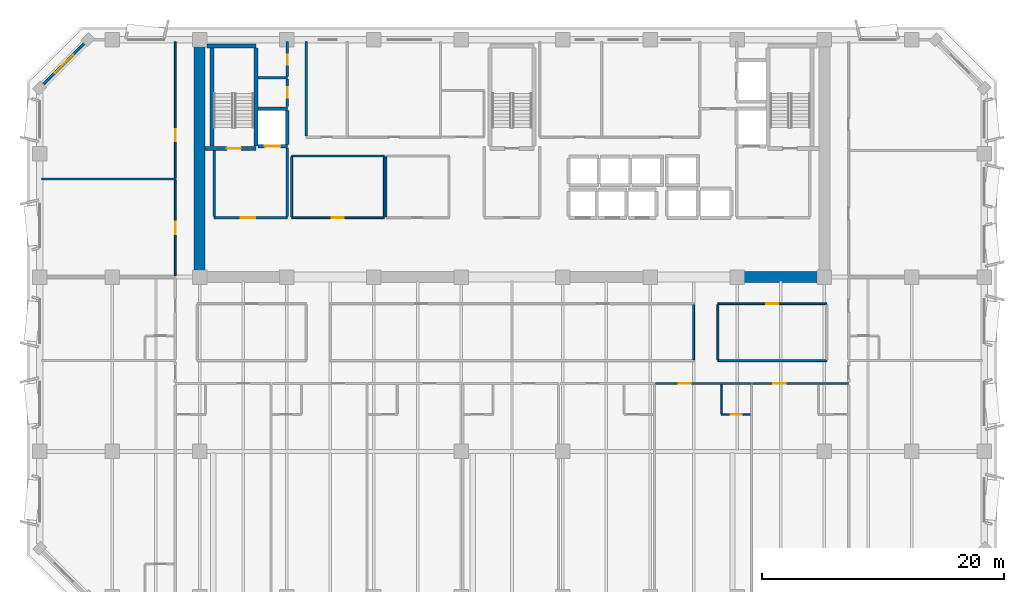
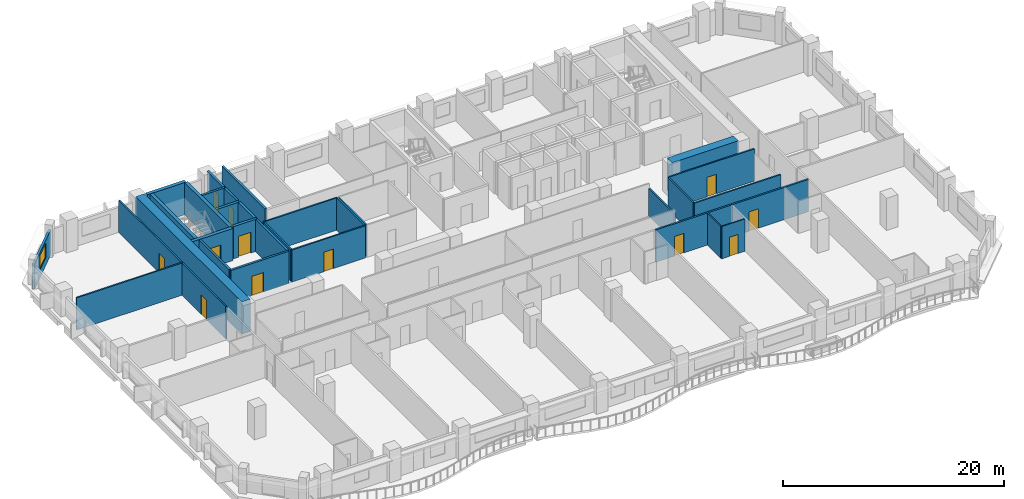
# One storey, part 6 of 15: 33 walls, 12 doors, 1 window, 13 openings.
"""IFC4 building model written with IfcOpenShell, lengths in metres."""

from ifc_helpers import new_model, si_unit, direction, frame, frame_2d, origin, place, context, subcontext, project, spatial, rectangle, extrude, material, layer, layer_set, type_object, element, fill, save


model = new_model("IFC4")

# Units and contexts
model_context = context("Model", 3, precision=1e-05, world=origin(), true_north=direction((0.0, 1.0)))
body_context = subcontext(model_context, "Body", "Model", "MODEL_VIEW")
ifc_project = project(units=[si_unit("LENGTHUNIT", "METRE"), si_unit("AREAUNIT", "SQUARE_METRE"), si_unit("VOLUMEUNIT", "CUBIC_METRE"), si_unit("PLANEANGLEUNIT", "RADIAN"), si_unit("MASSUNIT", "GRAM", prefix="KILO")], contexts=[model_context])

# Site, building, storey
site_placement = place(None, origin())
site = spatial("IfcSite", under=ifc_project, at=site_placement, CompositionType="ELEMENT")
building_placement = place(site_placement, origin())
building = spatial("IfcBuilding", under=site, at=building_placement, Name="Kaelvorn Grand Hotel", CompositionType="ELEMENT")
storey_placement = place(building_placement, frame((0.0, 0.0, 173.35009765625)))
storey = spatial("IfcBuildingStorey", under=building, at=storey_placement, Name="L42", CompositionType="ELEMENT", Elevation=173.35009765625)

# Walls
ifc_material_1 = material(Name="Concrete C60/75", Category="concrete")
ifc_layer_1 = layer(ifc_material_1, 0.89990234375)
ifc_layer_set_1 = layer_set([ifc_layer_1], Name="Concrete C60/75")
wall_type_1 = type_object("IfcWallType", Name="WL-CORE-900-C60", PredefinedType="SHEAR", material=ifc_layer_set_1)
wall_1_placement = place(storey_placement, frame((16.199951171875, 29.39990234375, 0.0), z_axis=(0.0, 0.0, 1.0), x_axis=(0.0, 1.0, 0.0)))
element("IfcWall", 1, at=wall_1_placement, inside=storey, type_object=wall_type_1, Name="L42 Rear-Core West Shear Wall", PredefinedType="SHEAR", context=body_context, shape_type="SweptSolid", body=[
    extrude(rectangle(XDim=19.2001953125, YDim=0.89990234375, at=frame_2d((9.60009765625, 0.0))), origin(), (0.0, 0.0, 1.0), 3.559814453125),
])
wall_2_placement = place(storey_placement, frame((60.39990234375, 29.39990234375, 0.0), z_axis=(0.0, 0.0, 1.0), x_axis=(1.0, 0.0, 0.0)))
element("IfcWall", 2, at=wall_2_placement, inside=storey, type_object=wall_type_1, Name="L42 Rear-Core Coupled Shear Pier S4", PredefinedType="SHEAR", context=body_context, shape_type="SweptSolid", body=[
    extrude(rectangle(XDim=6.945068359375, YDim=0.89990234375, at=frame_2d((3.47265625, 0.0))), origin(), (0.0, 0.0, 1.0), 3.559814453125),
])

# Wall, opening, window
ifc_material_2 = material(Name="Concrete C40/50", Category="concrete")
ifc_layer_2 = layer(ifc_material_2, 0.239990234375)
ifc_layer_set_2 = layer_set([ifc_layer_2], Name="Concrete C40/50")
wall_type_2 = type_object("IfcWallType", Name="WL-EXT-240-C40", PredefinedType="SOLIDWALL", material=ifc_layer_set_2)
wall_3_placement = place(storey_placement, frame((7.0, 49.0, 0.0), z_axis=(0.0, 0.0, 1.0), x_axis=(-0.707106781187, -0.707106781187, 0.0)))
wall_3 = element("IfcWall", 3, at=wall_3_placement, inside=storey, type_object=wall_type_2, Name="L42 Exterior Architectural Concrete Wall 06", PredefinedType="SOLIDWALL", context=body_context, shape_type="SweptSolid", body=[
    extrude(rectangle(XDim=5.65673828125, YDim=0.239990234375, at=frame_2d((2.828369140625, 0.0))), origin(), (0.0, 0.0, 1.0), 2.760009765625),
])
opening_1_placement = place(wall_3_placement, frame((1.7783203125, 0.0, 0.85009765625)))
opening_1 = element("IfcOpeningElement", 4, at=opening_1_placement, cuts=wall_3, Name="Opening W7", PredefinedType="OPENING", context=body_context, shape_type="SweptSolid", body=[
    extrude(rectangle(XDim=2.10009765625, YDim=1.60009765625, at=frame_2d((1.050048828125, 0.800048828125))), frame((0.0, 0.1298828125, 0.0), z_axis=(0.0, -1.0, 0.0), x_axis=(1.0, 0.0, 0.0)), (0.0, 0.0, 1.0), 0.260009765625),
])
ifc_material_3 = material(Name="Laminated Low-E Glass", Category="glass")
window_type = type_object("IfcWindowType", Name="WIN-CHM-2100x1600", PartitioningType="SINGLE_PANEL", PredefinedType="WINDOW", material=ifc_material_3)
window_placement = place(opening_1_placement, origin())
window = element("IfcWindow", 5, at=window_placement, inside=storey, type_object=window_type, Name="L42 Chamfered 45-Degree Corner Window NW", OverallHeight=1.60009765625, OverallWidth=2.10009765625, PartitioningType="SINGLE_PANEL", PredefinedType="WINDOW", context=body_context, shape_type="SweptSolid", body=[
    extrude(rectangle(XDim=2.10009765625, YDim=1.60009765625, at=frame_2d((1.050048828125, 0.800048828125))), frame((0.0, 0.030029296875, 0.0), z_axis=(0.0, -1.0, 0.0), x_axis=(1.0, 0.0, 0.0)), (0.0, 0.0, 1.0), 0.06005859375),
])
fill(opening_1, window)

# Wall, opening, door
ifc_material_4 = material(Name="Moisture-Resistant Tile & Stud Board")
ifc_layer_3 = layer(ifc_material_4, 0.125)
ifc_layer_set_3 = layer_set([ifc_layer_3], Name="Moisture-Resistant Tile & Stud Board")
wall_type_3 = type_object("IfcWallType", Name="WL-PART-125-WET", PredefinedType="PARTITIONING", material=ifc_layer_set_3)
wall_4_placement = place(storey_placement, frame((59.28076171875, 18.050048828125, 0.0), z_axis=(0.0, 0.0, 1.0), x_axis=(1.0, 0.0, 0.0)))
wall_4 = element("IfcWall", 6, at=wall_4_placement, inside=storey, type_object=wall_type_3, Name="L42 En-suite Bathroom L42-06 S Partition", PredefinedType="PARTITIONING", context=body_context, shape_type="SweptSolid", body=[
    extrude(rectangle(XDim=2.405029296875, YDim=0.125, at=frame_2d((1.20263671875, 0.0))), origin(), (0.0, 0.0, 1.0), 3.559814453125),
])
opening_2_placement = place(wall_4_placement, frame((0.800048828125, 0.0, 0.0)))
opening_2 = element("IfcOpeningElement", 7, at=opening_2_placement, cuts=wall_4, Name="Opening DI4", PredefinedType="OPENING", context=body_context, shape_type="SweptSolid", body=[
    extrude(rectangle(XDim=0.89990234375, YDim=2.10009765625, at=frame_2d((0.449951171875, 1.050048828125))), frame((0.0, 0.072509765625, 0.0), z_axis=(0.0, -1.0, 0.0), x_axis=(1.0, 0.0, 0.0)), (0.0, 0.0, 1.0), 0.14501953125),
])
ifc_material_5 = material(Name="Timber Veneer Leaf", Category="wood")
door_type_1 = type_object("IfcDoorType", Name="DR-INT-BATH-900x2100", OperationType="NOTDEFINED", PredefinedType="DOOR", material=ifc_material_5)
door_1_placement = place(opening_2_placement, origin())
door_1 = element("IfcDoor", 8, at=door_1_placement, inside=storey, type_object=door_type_1, Name="L42 En-suite Bathroom L42-06 Door", OperationType="SINGLE_SWING_RIGHT", OverallHeight=2.10009765625, OverallWidth=0.89990234375, PredefinedType="DOOR", context=body_context, shape_type="SweptSolid", body=[
    extrude(rectangle(XDim=0.89990234375, YDim=2.10009765625, at=frame_2d((0.449951171875, 1.050048828125))), frame((0.0, 0.02490234375, 0.0), z_axis=(0.0, -1.0, 0.0), x_axis=(1.0, 0.0, 0.0)), (0.0, 0.0, 1.0), 0.050048828125),
])
fill(opening_2, door_1)

# Walls
wall_5_placement = place(storey_placement, frame((59.28076171875, 18.117431640625, 0.0), z_axis=(0.0, 0.0, 1.0), x_axis=(0.0, 1.0, 0.0)))
element("IfcWall", 9, at=wall_5_placement, inside=storey, type_object=wall_type_3, Name="L42 En-suite Bathroom L42-06 W Partition", PredefinedType="PARTITIONING", context=body_context, shape_type="SweptSolid", body=[
    extrude(rectangle(XDim=2.387451171875, YDim=0.125, at=frame_2d((1.19384765625, 0.0))), origin(), (0.0, 0.0, 1.0), 3.559814453125),
])
ifc_material_6 = material(Name="Acoustic Gypsum & Stud Partition")
ifc_layer_4 = layer(ifc_material_6, 0.14990234375)
ifc_layer_set_4 = layer_set([ifc_layer_4], Name="Acoustic Gypsum & Stud Partition")
wall_type_4 = type_object("IfcWallType", Name="WL-PART-150-EI60", PredefinedType="PARTITIONING", material=ifc_layer_set_4)
wall_6_placement = place(storey_placement, frame((31.60009765625, 34.3798828125, 0.0), z_axis=(0.0, 0.0, 1.0), x_axis=(0.0, 1.0, 0.0)))
element("IfcWall", 10, at=wall_6_placement, inside=storey, type_object=wall_type_4, Name="L42 Core Telecoms & BMS Server Room W Partition", PredefinedType="PARTITIONING", context=body_context, shape_type="SweptSolid", body=[
    extrude(rectangle(XDim=4.940185546875, YDim=0.14990234375, at=frame_2d((2.47021484375, 0.0))), origin(), (0.0, 0.0, 1.0), 3.559814453125),
])

# Wall, opening, door
wall_7_placement = place(storey_placement, frame((23.800048828125, 34.300048828125, 0.0), z_axis=(0.0, 0.0, 1.0), x_axis=(1.0, 0.0, 0.0)))
wall_7 = element("IfcWall", 11, at=wall_7_placement, inside=storey, type_object=wall_type_4, Name="L42 Executive Club Sitting Lounge S Partition", PredefinedType="PARTITIONING", context=body_context, shape_type="SweptSolid", body=[
    extrude(rectangle(XDim=7.64990234375, YDim=0.14990234375, at=frame_2d((3.824951171875, 0.0))), origin(), (0.0, 0.0, 1.0), 3.559814453125),
])
opening_3_placement = place(wall_7_placement, frame((3.300048828125, 0.0, 0.0)))
opening_3 = element("IfcOpeningElement", 12, at=opening_3_placement, cuts=wall_7, Name="Opening DI3", PredefinedType="OPENING", context=body_context, shape_type="SweptSolid", body=[
    extrude(rectangle(XDim=1.0, YDim=2.14990234375, at=frame_2d((0.5, 1.074951171875))), frame((0.0, 0.0849609375, 0.0), z_axis=(0.0, -1.0, 0.0), x_axis=(1.0, 0.0, 0.0)), (0.0, 0.0, 1.0), 0.169921875),
])
ifc_material_7 = material(Name="Timber Veneer Fire Leaf", Category="wood")
door_type_2 = type_object("IfcDoorType", Name="DR-INT-GUEST-1000x2150", OperationType="NOTDEFINED", PredefinedType="DOOR", material=ifc_material_7)
door_2_placement = place(opening_3_placement, origin())
door_2 = element("IfcDoor", 13, at=door_2_placement, inside=storey, type_object=door_type_2, Name="L42 Executive Club Sitting Lounge Door", OperationType="SINGLE_SWING_LEFT", OverallHeight=2.14990234375, OverallWidth=1.0, PredefinedType="DOOR", context=body_context, shape_type="SweptSolid", body=[
    extrude(rectangle(XDim=1.0, YDim=2.14990234375, at=frame_2d((0.5, 1.074951171875))), frame((0.0, 0.02490234375, 0.0), z_axis=(0.0, -1.0, 0.0), x_axis=(1.0, 0.0, 0.0)), (0.0, 0.0, 1.0), 0.050048828125),
])
fill(opening_3, door_2)

# Walls
wall_8_placement = place(storey_placement, frame((23.800048828125, 39.39990234375, 0.0), z_axis=(0.0, 0.0, 1.0), x_axis=(1.0, 0.0, 0.0)))
element("IfcWall", 14, at=wall_8_placement, inside=storey, type_object=wall_type_4, Name="L42 Executive Club Sitting Lounge N Partition", PredefinedType="PARTITIONING", context=body_context, shape_type="SweptSolid", body=[
    extrude(rectangle(XDim=7.64990234375, YDim=0.14990234375, at=frame_2d((3.824951171875, 0.0))), origin(), (0.0, 0.0, 1.0), 3.559814453125),
])
for number, where, z_axis, x_axis, name in (
    (15, (23.800048828125, 34.3798828125, 0.0), (0.0, 0.0, 1.0), (0.0, 1.0, 0.0), "L42 Executive Club Sitting Lounge W Partition"),
    (16, (31.449951171875, 34.3798828125, 0.0), (0.0, 0.0, 1.0), (0.0, 1.0, 0.0), "L42 Executive Club Sitting Lounge E Partition"),
):
    element("IfcWall", number, at=place(storey_placement, frame(where, z_axis=z_axis, x_axis=x_axis)), inside=storey, type_object=wall_type_4, Name=name, PredefinedType="PARTITIONING", context=body_context, shape_type="SweptSolid", body=[
        extrude(rectangle(XDim=4.940185546875, YDim=0.14990234375, at=frame_2d((2.47021484375, 0.0))), origin(), (0.0, 0.0, 1.0), 3.559814453125),
    ])
wall_9_placement = place(storey_placement, frame((57.0, 22.580078125, 0.0), z_axis=(0.0, 0.0, 1.0), x_axis=(0.0, 1.0, 0.0)))
element("IfcWall", 17, at=wall_9_placement, inside=storey, type_object=wall_type_4, Name="L42 Business Meeting Room E Partition", PredefinedType="PARTITIONING", context=body_context, shape_type="SweptSolid", body=[
    extrude(rectangle(XDim=4.5400390625, YDim=0.14990234375, at=frame_2d((2.27001953125, 0.0))), origin(), (0.0, 0.0, 1.0), 3.059814453125),
])
wall_10_placement = place(storey_placement, frame((59.0, 22.5, 0.0), z_axis=(0.0, 0.0, 1.0), x_axis=(1.0, 0.0, 0.0)))
element("IfcWall", 18, at=wall_10_placement, inside=storey, type_object=wall_type_4, Name="L42 Press Briefing Office S Partition", PredefinedType="PARTITIONING", context=body_context, shape_type="SweptSolid", body=[
    extrude(rectangle(XDim=9.0, YDim=0.14990234375, at=frame_2d((4.5, 0.0))), origin(), (0.0, 0.0, 1.0), 3.559814453125),
])

# Wall, opening, door
wall_11_placement = place(storey_placement, frame((59.0, 27.199951171875, 0.0), z_axis=(0.0, 0.0, 1.0), x_axis=(1.0, 0.0, 0.0)))
wall_11 = element("IfcWall", 19, at=wall_11_placement, inside=storey, type_object=wall_type_4, Name="L42 Press Briefing Office N Partition", PredefinedType="PARTITIONING", context=body_context, shape_type="SweptSolid", body=[
    extrude(rectangle(XDim=9.0, YDim=0.14990234375, at=frame_2d((4.5, 0.0))), origin(), (0.0, 0.0, 1.0), 3.559814453125),
])
opening_4_placement = place(wall_11_placement, frame((4.0, 0.0, 0.0)))
opening_4 = element("IfcOpeningElement", 20, at=opening_4_placement, cuts=wall_11, Name="Opening DI3", PredefinedType="OPENING", context=body_context, shape_type="SweptSolid", body=[
    extrude(rectangle(XDim=1.0, YDim=2.14990234375, at=frame_2d((0.5, 1.074951171875))), frame((0.0, 0.0849609375, 0.0), z_axis=(0.0, -1.0, 0.0), x_axis=(1.0, 0.0, 0.0)), (0.0, 0.0, 1.0), 0.169921875),
])
door_3_placement = place(opening_4_placement, origin())
door_3 = element("IfcDoor", 21, at=door_3_placement, inside=storey, type_object=door_type_2, Name="L42 Press Briefing Office Door", OperationType="SINGLE_SWING_RIGHT", OverallHeight=2.14990234375, OverallWidth=1.0, PredefinedType="DOOR", context=body_context, shape_type="SweptSolid", body=[
    extrude(rectangle(XDim=1.0, YDim=2.14990234375, at=frame_2d((0.5, 1.074951171875))), frame((0.0, 0.02490234375, 0.0), z_axis=(0.0, -1.0, 0.0), x_axis=(1.0, 0.0, 0.0)), (0.0, 0.0, 1.0), 0.050048828125),
])
fill(opening_4, door_3)

# Walls
wall_12_placement = place(storey_placement, frame((59.0, 22.580078125, 0.0), z_axis=(0.0, 0.0, 1.0), x_axis=(0.0, 1.0, 0.0)))
element("IfcWall", 22, at=wall_12_placement, inside=storey, type_object=wall_type_4, Name="L42 Press Briefing Office W Partition", PredefinedType="PARTITIONING", context=body_context, shape_type="SweptSolid", body=[
    extrude(rectangle(XDim=4.5400390625, YDim=0.14990234375, at=frame_2d((2.27001953125, 0.0))), origin(), (0.0, 0.0, 1.0), 3.559814453125),
])
wall_13_placement = place(storey_placement, frame((3.14990234375, 37.5, 0.0), z_axis=(0.0, 0.0, 1.0), x_axis=(1.0, 0.0, 0.0)))
element("IfcWall", 23, at=wall_13_placement, inside=storey, type_object=wall_type_4, Name="L42 North-West Private Cinema Lounge N Partition", PredefinedType="PARTITIONING", context=body_context, shape_type="SweptSolid", body=[
    extrude(rectangle(XDim=11.050048828125, YDim=0.14990234375, at=frame_2d((5.52490234375, 0.0))), origin(), (0.0, 0.0, 1.0), 3.559814453125),
])

# Wall, opening, door
wall_14_placement = place(storey_placement, frame((14.199951171875, 29.4951171875, 0.0), z_axis=(0.0, 0.0, 1.0), x_axis=(0.0, 1.0, 0.0)))
wall_14 = element("IfcWall", 24, at=wall_14_placement, inside=storey, type_object=wall_type_4, Name="L42 North-West Private Cinema Lounge E Partition", PredefinedType="PARTITIONING", context=body_context, shape_type="SweptSolid", body=[
    extrude(rectangle(XDim=7.9248046875, YDim=0.14990234375, at=frame_2d((3.96240234375, 0.0))), origin(), (0.0, 0.0, 1.0), 3.559814453125),
])
opening_5_placement = place(wall_14_placement, frame((3.455078125, 0.0, 0.0)))
opening_5 = element("IfcOpeningElement", 25, at=opening_5_placement, cuts=wall_14, Name="Opening DI3", PredefinedType="OPENING", context=body_context, shape_type="SweptSolid", body=[
    extrude(rectangle(XDim=1.0, YDim=2.14990234375, at=frame_2d((0.5, 1.074951171875))), frame((0.0, 0.0849609375, 0.0), z_axis=(0.0, -1.0, 0.0), x_axis=(1.0, 0.0, 0.0)), (0.0, 0.0, 1.0), 0.169921875),
])
door_4_placement = place(opening_5_placement, origin())
door_4 = element("IfcDoor", 26, at=door_4_placement, inside=storey, type_object=door_type_2, Name="L42 North-West Private Cinema Lounge Door", OperationType="SINGLE_SWING_LEFT", OverallHeight=2.14990234375, OverallWidth=1.0, PredefinedType="DOOR", context=body_context, shape_type="SweptSolid", body=[
    extrude(rectangle(XDim=1.0, YDim=2.14990234375, at=frame_2d((0.5, 1.074951171875))), frame((0.0, 0.02490234375, 0.0), z_axis=(0.0, -1.0, 0.0), x_axis=(1.0, 0.0, 0.0)), (0.0, 0.0, 1.0), 0.050048828125),
])
fill(opening_5, door_4)

wall_15_placement = place(storey_placement, frame((14.199951171875, 37.580078125, 0.0), z_axis=(0.0, 0.0, 1.0), x_axis=(0.0, 1.0, 0.0)))
wall_15 = element("IfcWall", 27, at=wall_15_placement, inside=storey, type_object=wall_type_4, Name="L42 North-West Sommelier Wine Bar E Partition", PredefinedType="PARTITIONING", context=body_context, shape_type="SweptSolid", body=[
    extrude(rectangle(XDim=11.27001953125, YDim=0.14990234375, at=frame_2d((5.635009765625, 0.0))), origin(), (0.0, 0.0, 1.0), 3.559814453125),
])
opening_6_placement = place(wall_15_placement, frame((3.02001953125, 0.0, 0.0)))
opening_6 = element("IfcOpeningElement", 28, at=opening_6_placement, cuts=wall_15, Name="Opening DI3", PredefinedType="OPENING", context=body_context, shape_type="SweptSolid", body=[
    extrude(rectangle(XDim=1.0, YDim=2.14990234375, at=frame_2d((0.5, 1.074951171875))), frame((0.0, 0.0849609375, 0.0), z_axis=(0.0, -1.0, 0.0), x_axis=(1.0, 0.0, 0.0)), (0.0, 0.0, 1.0), 0.169921875),
])
door_5_placement = place(opening_6_placement, origin())
door_5 = element("IfcDoor", 29, at=door_5_placement, inside=storey, type_object=door_type_2, Name="L42 North-West Sommelier Wine Bar Door", OperationType="SINGLE_SWING_RIGHT", OverallHeight=2.14990234375, OverallWidth=1.0, PredefinedType="DOOR", context=body_context, shape_type="SweptSolid", body=[
    extrude(rectangle(XDim=1.0, YDim=2.14990234375, at=frame_2d((0.5, 1.074951171875))), frame((0.0, 0.02490234375, 0.0), z_axis=(0.0, -1.0, 0.0), x_axis=(1.0, 0.0, 0.0)), (0.0, 0.0, 1.0), 0.050048828125),
])
fill(opening_6, door_5)

ifc_layer_5 = layer(ifc_material_6, 0.179931640625)
ifc_layer_set_5 = layer_set([ifc_layer_5], Name="Acoustic Gypsum & Stud Partition")
wall_type_5 = type_object("IfcWallType", Name="WL-PART-180-EI60", PredefinedType="PARTITIONING", material=ifc_layer_set_5)
wall_16_placement = place(storey_placement, frame((53.8564453125, 20.60009765625, 0.0), z_axis=(0.0, 0.0, 1.0), x_axis=(1.0, 0.0, 0.0)))
wall_16 = element("IfcWall", 30, at=wall_16_placement, inside=storey, type_object=wall_type_5, Name="L42 Mid-Rise Signature Suite L42-06 N Partition", PredefinedType="PARTITIONING", context=body_context, shape_type="SweptSolid", body=[
    extrude(rectangle(XDim=7.92431640625, YDim=0.179931640625, at=frame_2d((3.962158203125, 0.0))), origin(), (0.0, 0.0, 1.0), 3.559814453125),
])
opening_7_placement = place(wall_16_placement, frame((1.923828125, 0.0, 0.0)))
opening_7 = element("IfcOpeningElement", 31, at=opening_7_placement, cuts=wall_16, Name="Opening DI3", PredefinedType="OPENING", context=body_context, shape_type="SweptSolid", body=[
    extrude(rectangle(XDim=1.0, YDim=2.14990234375, at=frame_2d((0.5, 1.074951171875))), frame((0.0, 0.10009765625, 0.0), z_axis=(0.0, -1.0, 0.0), x_axis=(1.0, 0.0, 0.0)), (0.0, 0.0, 1.0), 0.199951171875),
])
door_6_placement = place(opening_7_placement, origin())
door_6 = element("IfcDoor", 32, at=door_6_placement, inside=storey, type_object=door_type_2, Name="L42 Mid-Rise Signature Suite L42-06 Door", OperationType="SINGLE_SWING_LEFT", OverallHeight=2.14990234375, OverallWidth=1.0, PredefinedType="DOOR", context=body_context, shape_type="SweptSolid", body=[
    extrude(rectangle(XDim=1.0, YDim=2.14990234375, at=frame_2d((0.5, 1.074951171875))), frame((0.0, 0.02490234375, 0.0), z_axis=(0.0, -1.0, 0.0), x_axis=(1.0, 0.0, 0.0)), (0.0, 0.0, 1.0), 0.050048828125),
])
fill(opening_7, door_6)

wall_17_placement = place(storey_placement, frame((61.875732421875, 20.60009765625, 0.0), z_axis=(0.0, 0.0, 1.0), x_axis=(1.0, 0.0, 0.0)))
wall_17 = element("IfcWall", 33, at=wall_17_placement, inside=storey, type_object=wall_type_5, Name="L42 Mid-Rise Signature Suite L42-07 N Partition", PredefinedType="PARTITIONING", context=body_context, shape_type="SweptSolid", body=[
    extrude(rectangle(XDim=7.92431640625, YDim=0.179931640625, at=frame_2d((3.962158203125, 0.0))), origin(), (0.0, 0.0, 1.0), 3.559814453125),
])
opening_8_placement = place(wall_17_placement, frame((1.714599609375, 0.0, 0.0)))
opening_8 = element("IfcOpeningElement", 34, at=opening_8_placement, cuts=wall_17, Name="Opening DI3", PredefinedType="OPENING", context=body_context, shape_type="SweptSolid", body=[
    extrude(rectangle(XDim=1.0, YDim=2.14990234375, at=frame_2d((0.5, 1.074951171875))), frame((0.0, 0.10009765625, 0.0), z_axis=(0.0, -1.0, 0.0), x_axis=(1.0, 0.0, 0.0)), (0.0, 0.0, 1.0), 0.199951171875),
])
door_7_placement = place(opening_8_placement, origin())
door_7 = element("IfcDoor", 35, at=door_7_placement, inside=storey, type_object=door_type_2, Name="L42 Mid-Rise Signature Suite L42-07 Door", OperationType="SINGLE_SWING_LEFT", OverallHeight=2.14990234375, OverallWidth=1.0, PredefinedType="DOOR", context=body_context, shape_type="SweptSolid", body=[
    extrude(rectangle(XDim=1.0, YDim=2.14990234375, at=frame_2d((0.5, 1.074951171875))), frame((0.0, 0.02490234375, 0.0), z_axis=(0.0, -1.0, 0.0), x_axis=(1.0, 0.0, 0.0)), (0.0, 0.0, 1.0), 0.050048828125),
])
fill(opening_8, door_7)

ifc_layer_6 = layer(ifc_material_2, 0.219970703125)
ifc_layer_set_6 = layer_set([ifc_layer_6], Name="Concrete C40/50")
wall_type_6 = type_object("IfcWallType", Name="WL-PART-220-EI120", PredefinedType="PARTITIONING", material=ifc_layer_set_6)
wall_18_placement = place(storey_placement, frame((17.39990234375, 34.300048828125, 0.0), z_axis=(0.0, 0.0, 1.0), x_axis=(1.0, 0.0, 0.0)))
wall_18 = element("IfcWall", 36, at=wall_18_placement, inside=storey, type_object=wall_type_6, Name="L42 Firefighting Lift Lobby 1 S Partition", PredefinedType="PARTITIONING", context=body_context, shape_type="SweptSolid", body=[
    extrude(rectangle(XDim=6.050048828125, YDim=0.219970703125, at=frame_2d((3.02490234375, 0.0))), origin(), (0.0, 0.0, 1.0), 3.559814453125),
])
opening_9_placement = place(wall_18_placement, frame((2.199951171875, 0.0, 0.0)))
opening_9 = element("IfcOpeningElement", 37, at=opening_9_placement, cuts=wall_18, Name="Opening DI2", PredefinedType="OPENING", context=body_context, shape_type="SweptSolid", body=[
    extrude(rectangle(XDim=1.199951171875, YDim=2.14990234375, at=frame_2d((0.60009765625, 1.074951171875))), frame((0.0, 0.1201171875, 0.0), z_axis=(0.0, -1.0, 0.0), x_axis=(1.0, 0.0, 0.0)), (0.0, 0.0, 1.0), 0.239990234375),
])
door_type_3 = type_object("IfcDoorType", Name="DR-INT-FFLOB-1200x2150", OperationType="NOTDEFINED", PredefinedType="DOOR", material=ifc_material_7)
door_8_placement = place(opening_9_placement, origin())
door_8 = element("IfcDoor", 38, at=door_8_placement, inside=storey, type_object=door_type_3, Name="L42 Firefighting Lift Lobby 1 Door", OperationType="SINGLE_SWING_RIGHT", OverallHeight=2.14990234375, OverallWidth=1.199951171875, PredefinedType="DOOR", context=body_context, shape_type="SweptSolid", body=[
    extrude(rectangle(XDim=1.199951171875, YDim=2.14990234375, at=frame_2d((0.60009765625, 1.074951171875))), frame((0.0, 0.02490234375, 0.0), z_axis=(0.0, -1.0, 0.0), x_axis=(1.0, 0.0, 0.0)), (0.0, 0.0, 1.0), 0.050048828125),
])
fill(opening_9, door_8)

# Walls
wall_19_placement = place(storey_placement, frame((17.39990234375, 34.4150390625, 0.0), z_axis=(0.0, 0.0, 1.0), x_axis=(0.0, 1.0, 0.0)))
element("IfcWall", 39, at=wall_19_placement, inside=storey, type_object=wall_type_6, Name="L42 Firefighting Lift Lobby 1 W Partition", PredefinedType="PARTITIONING", context=body_context, shape_type="SweptSolid", body=[
    extrude(rectangle(XDim=5.429931640625, YDim=0.219970703125, at=frame_2d((2.71484375, 0.0))), origin(), (0.0, 0.0, 1.0), 3.559814453125),
])
wall_20_placement = place(storey_placement, frame((23.449951171875, 34.4150390625, 0.0), z_axis=(0.0, 0.0, 1.0), x_axis=(0.0, 1.0, 0.0)))
element("IfcWall", 40, at=wall_20_placement, inside=storey, type_object=wall_type_6, Name="L42 Firefighting Lift Lobby 1 E Partition", PredefinedType="PARTITIONING", context=body_context, shape_type="SweptSolid", body=[
    extrude(rectangle(XDim=5.639892578125, YDim=0.219970703125, at=frame_2d((2.81982421875, 0.0))), origin(), (0.0, 0.0, 1.0), 3.559814453125),
])
wall_21_placement = place(storey_placement, frame((21.034912109375, 45.85009765625, 0.0), z_axis=(0.0, 0.0, 1.0), x_axis=(1.0, 0.0, 0.0)))
element("IfcWall", 41, at=wall_21_placement, inside=storey, type_object=wall_type_6, Name="L42 Wet Fire & Plumbing Riser Shaft N Partition", PredefinedType="PARTITIONING", context=body_context, shape_type="SweptSolid", body=[
    extrude(rectangle(XDim=2.4150390625, YDim=0.219970703125, at=frame_2d((1.20751953125, 0.0))), origin(), (0.0, 0.0, 1.0), 3.559814453125),
])

# Wall, opening, door
wall_22_placement = place(storey_placement, frame((23.449951171875, 43.5, 0.0), z_axis=(0.0, 0.0, 1.0), x_axis=(0.0, 1.0, 0.0)))
wall_22 = element("IfcWall", 42, at=wall_22_placement, inside=storey, type_object=wall_type_6, Name="L42 Wet Fire & Plumbing Riser Shaft E Partition", PredefinedType="PARTITIONING", context=body_context, shape_type="SweptSolid", body=[
    extrude(rectangle(XDim=2.235107421875, YDim=0.219970703125, at=frame_2d((1.11767578125, 0.0))), origin(), (0.0, 0.0, 1.0), 3.559814453125),
])
opening_10_placement = place(wall_22_placement, frame((0.72509765625, 0.0, 0.0)))
opening_10 = element("IfcOpeningElement", 43, at=opening_10_placement, cuts=wall_22, Name="Opening DI7", PredefinedType="OPENING", context=body_context, shape_type="SweptSolid", body=[
    extrude(rectangle(XDim=0.85009765625, YDim=2.10009765625, at=frame_2d((0.425048828125, 1.050048828125))), frame((0.0, 0.1201171875, 0.0), z_axis=(0.0, -1.0, 0.0), x_axis=(1.0, 0.0, 0.0)), (0.0, 0.0, 1.0), 0.239990234375),
])
ifc_material_8 = material(Name="Powder-Coated Steel Leaf", Category="steel")
door_type_4 = type_object("IfcDoorType", Name="DR-INT-RISER-850x2100", OperationType="NOTDEFINED", PredefinedType="DOOR", material=ifc_material_8)
door_9_placement = place(opening_10_placement, origin())
door_9 = element("IfcDoor", 44, at=door_9_placement, inside=storey, type_object=door_type_4, Name="L42 Wet Fire & Plumbing Riser Shaft Door", OperationType="SINGLE_SWING_RIGHT", OverallHeight=2.10009765625, OverallWidth=0.85009765625, PredefinedType="DOOR", context=body_context, shape_type="SweptSolid", body=[
    extrude(rectangle(XDim=0.85009765625, YDim=2.10009765625, at=frame_2d((0.425048828125, 1.050048828125))), frame((0.0, 0.02490234375, 0.0), z_axis=(0.0, -1.0, 0.0), x_axis=(1.0, 0.0, 0.0)), (0.0, 0.0, 1.0), 0.050048828125),
])
fill(opening_10, door_9)

wall_23_placement = place(storey_placement, frame((23.449951171875, 45.965087890625, 0.0), z_axis=(0.0, 0.0, 1.0), x_axis=(0.0, 1.0, 0.0)))
wall_23 = element("IfcWall", 45, at=wall_23_placement, inside=storey, type_object=wall_type_6, Name="L42 HV Electrical & Smoke Riser E Partition", PredefinedType="PARTITIONING", context=body_context, shape_type="SweptSolid", body=[
    extrude(rectangle(XDim=2.885009765625, YDim=0.219970703125, at=frame_2d((1.4423828125, 0.0))), origin(), (0.0, 0.0, 1.0), 3.559814453125),
])
opening_11_placement = place(wall_23_placement, frame((0.9599609375, 0.0, 0.0)))
opening_11 = element("IfcOpeningElement", 46, at=opening_11_placement, cuts=wall_23, Name="Opening DI7", PredefinedType="OPENING", context=body_context, shape_type="SweptSolid", body=[
    extrude(rectangle(XDim=0.85009765625, YDim=2.10009765625, at=frame_2d((0.425048828125, 1.050048828125))), frame((0.0, 0.1201171875, 0.0), z_axis=(0.0, -1.0, 0.0), x_axis=(1.0, 0.0, 0.0)), (0.0, 0.0, 1.0), 0.239990234375),
])
door_10_placement = place(opening_11_placement, origin())
door_10 = element("IfcDoor", 47, at=door_10_placement, inside=storey, type_object=door_type_4, Name="L42 HV Electrical & Smoke Riser Door", OperationType="SINGLE_SWING_LEFT", OverallHeight=2.10009765625, OverallWidth=0.85009765625, PredefinedType="DOOR", context=body_context, shape_type="SweptSolid", body=[
    extrude(rectangle(XDim=0.85009765625, YDim=2.10009765625, at=frame_2d((0.425048828125, 1.050048828125))), frame((0.0, 0.02490234375, 0.0), z_axis=(0.0, -1.0, 0.0), x_axis=(1.0, 0.0, 0.0)), (0.0, 0.0, 1.0), 0.050048828125),
])
fill(opening_11, door_10)

# Wall
wall_24_placement = place(storey_placement, frame((25.0, 41.06494140625, 0.0), z_axis=(0.0, 0.0, 1.0), x_axis=(0.0, 1.0, 0.0)))
element("IfcWall", 48, at=wall_24_placement, inside=storey, type_object=wall_type_6, Name="L42 Electrical Distribution Room W Partition", PredefinedType="PARTITIONING", context=body_context, shape_type="SweptSolid", body=[
    extrude(rectangle(XDim=7.78515625, YDim=0.219970703125, at=frame_2d((3.892578125, 0.0))), origin(), (0.0, 0.0, 1.0), 3.559814453125),
])

# Wall, opening, door
ifc_material_9 = material(Name="Concrete C50/60", Category="concrete")
ifc_layer_7 = layer(ifc_material_9, 0.280029296875)
ifc_layer_set_7 = layer_set([ifc_layer_7], Name="Concrete C50/60")
wall_type_7 = type_object("IfcWallType", Name="WL-SHAFT-280-C50", PredefinedType="SHEAR", material=ifc_layer_set_7)
wall_25_placement = place(storey_placement, frame((21.034912109375, 40.199951171875, 0.0), z_axis=(0.0, 0.0, 1.0), x_axis=(1.0, 0.0, 0.0)))
wall_25 = element("IfcWall", 49, at=wall_25_placement, inside=storey, type_object=wall_type_7, Name="L42 Lift FFL1 Shaft South Wall", PredefinedType="SHEAR", context=body_context, shape_type="SweptSolid", body=[
    extrude(rectangle(XDim=2.4150390625, YDim=0.280029296875, at=frame_2d((1.20751953125, 0.0))), origin(), (0.0, 0.0, 1.0), 3.559814453125),
])
opening_12_placement = place(wall_25_placement, frame((0.5400390625, 0.0, 0.0)))
opening_12 = element("IfcOpeningElement", 50, at=opening_12_placement, cuts=wall_25, Name="Opening LD-FFL1", PredefinedType="OPENING", context=body_context, shape_type="SweptSolid", body=[
    extrude(rectangle(XDim=1.300048828125, YDim=2.300048828125, at=frame_2d((0.64990234375, 1.14990234375))), frame((0.0, 0.14990234375, 0.0), z_axis=(0.0, -1.0, 0.0), x_axis=(1.0, 0.0, 0.0)), (0.0, 0.0, 1.0), 0.300048828125),
])
ifc_material_10 = material(Name="Stainless Steel", Category="steel")
door_type_5 = type_object("IfcDoorType", Name="DR-LIFT-SERV-1300x2300", OperationType="DOUBLE_DOOR_SLIDING", PredefinedType="DOOR", material=ifc_material_10)
door_11_placement = place(opening_12_placement, origin())
door_11 = element("IfcDoor", 51, at=door_11_placement, inside=storey, type_object=door_type_5, Name="L42 Lift FFL1 Sliding Landing Door LD-FFL1", OperationType="DOUBLE_DOOR_SLIDING", OverallHeight=2.300048828125, OverallWidth=1.300048828125, PredefinedType="DOOR", context=body_context, shape_type="SweptSolid", body=[
    extrude(rectangle(XDim=1.300048828125, YDim=2.300048828125, at=frame_2d((0.64990234375, 1.14990234375))), frame((0.0, 0.02490234375, 0.0), z_axis=(0.0, -1.0, 0.0), x_axis=(1.0, 0.0, 0.0)), (0.0, 0.0, 1.0), 0.050048828125),
])
fill(opening_12, door_11)

# Walls
wall_26_placement = place(storey_placement, frame((21.034912109375, 43.300048828125, 0.0), z_axis=(0.0, 0.0, 1.0), x_axis=(1.0, 0.0, 0.0)))
element("IfcWall", 52, at=wall_26_placement, inside=storey, type_object=wall_type_7, Name="L42 Lift FFL1 Shaft North Wall", PredefinedType="SHEAR", context=body_context, shape_type="SweptSolid", body=[
    extrude(rectangle(XDim=2.4150390625, YDim=0.280029296875, at=frame_2d((1.20751953125, 0.0))), origin(), (0.0, 0.0, 1.0), 3.559814453125),
])
wall_27_placement = place(storey_placement, frame((23.449951171875, 40.344970703125, 0.0), z_axis=(0.0, 0.0, 1.0), x_axis=(0.0, 1.0, 0.0)))
element("IfcWall", 53, at=wall_27_placement, inside=storey, type_object=wall_type_7, Name="L42 Lift FFL1 Shaft East Wall", PredefinedType="SHEAR", context=body_context, shape_type="SweptSolid", body=[
    extrude(rectangle(XDim=2.81005859375, YDim=0.280029296875, at=frame_2d((1.405029296875, 0.0))), origin(), (0.0, 0.0, 1.0), 3.559814453125),
])

# Wall, opening, door
ifc_layer_8 = layer(ifc_material_1, 0.35009765625)
ifc_layer_set_8 = layer_set([ifc_layer_8], Name="Concrete C60/75")
wall_type_8 = type_object("IfcWallType", Name="WL-SHAFT-350-C60", PredefinedType="SHEAR", material=ifc_layer_set_8)
wall_28_placement = place(storey_placement, frame((16.655029296875, 40.02490234375, 0.0), z_axis=(0.0, 0.0, 1.0), x_axis=(1.0, 0.0, 0.0)))
wall_28 = element("IfcWall", 54, at=wall_28_placement, inside=storey, type_object=wall_type_8, Name="L42 ST1 Stair Shaft South Wall", PredefinedType="SHEAR", context=body_context, shape_type="SweptSolid", body=[
    extrude(rectangle(XDim=4.199951171875, YDim=0.35009765625, at=frame_2d((2.10009765625, 0.0))), origin(), (0.0, 0.0, 1.0), 3.559814453125),
])
opening_13_placement = place(wall_28_placement, frame((1.81005859375, 0.0, 0.0)))
opening_13 = element("IfcOpeningElement", 55, at=opening_13_placement, cuts=wall_28, Name="Opening DI1", PredefinedType="OPENING", context=body_context, shape_type="SweptSolid", body=[
    extrude(rectangle(XDim=1.14990234375, YDim=2.14990234375, at=frame_2d((0.574951171875, 1.074951171875))), frame((0.0, 0.18505859375, 0.0), z_axis=(0.0, -1.0, 0.0), x_axis=(1.0, 0.0, 0.0)), (0.0, 0.0, 1.0), 0.3701171875),
])
door_type_6 = type_object("IfcDoorType", Name="DR-INT-STAIR-1150x2150", OperationType="NOTDEFINED", PredefinedType="DOOR", material=ifc_material_7)
door_12_placement = place(opening_13_placement, origin())
door_12 = element("IfcDoor", 56, at=door_12_placement, inside=storey, type_object=door_type_6, Name="L42 ST1 Exit Stair Fire Door", OperationType="SINGLE_SWING_LEFT", OverallHeight=2.14990234375, OverallWidth=1.14990234375, PredefinedType="DOOR", context=body_context, shape_type="SweptSolid", body=[
    extrude(rectangle(XDim=1.14990234375, YDim=2.14990234375, at=frame_2d((0.574951171875, 1.074951171875))), frame((0.0, 0.02490234375, 0.0), z_axis=(0.0, -1.0, 0.0), x_axis=(1.0, 0.0, 0.0)), (0.0, 0.0, 1.0), 0.050048828125),
])
fill(opening_13, door_12)

# Walls
wall_29_placement = place(storey_placement, frame((16.804931640625, 48.47509765625, 0.0), z_axis=(0.0, 0.0, 1.0), x_axis=(1.0, 0.0, 0.0)))
element("IfcWall", 57, at=wall_29_placement, inside=storey, type_object=wall_type_8, Name="L42 ST1 Stair Shaft North Wall", PredefinedType="SHEAR", context=body_context, shape_type="SweptSolid", body=[
    extrude(rectangle(XDim=4.050048828125, YDim=0.35009765625, at=frame_2d((2.02490234375, 0.0))), origin(), (0.0, 0.0, 1.0), 3.559814453125),
])
for number, where, z_axis, x_axis, name in (
    (58, (17.22509765625, 40.205078125, 0.0), (0.0, 0.0, 1.0), (0.0, 1.0, 0.0), "L42 ST1 Stair Shaft West Wall"),
    (59, (20.85498046875, 40.205078125, 0.0), (0.0, 0.0, 1.0), (0.0, 1.0, 0.0), "L42 ST1 Stair Shaft East Wall"),
):
    element("IfcWall", number, at=place(storey_placement, frame(where, z_axis=z_axis, x_axis=x_axis)), inside=storey, type_object=wall_type_8, Name=name, PredefinedType="SHEAR", context=body_context, shape_type="SweptSolid", body=[
        extrude(rectangle(XDim=8.08984375, YDim=0.35009765625, at=frame_2d((4.044921875, 0.0))), origin(), (0.0, 0.0, 1.0), 3.559814453125),
    ])

save(model, "model.ifc")
